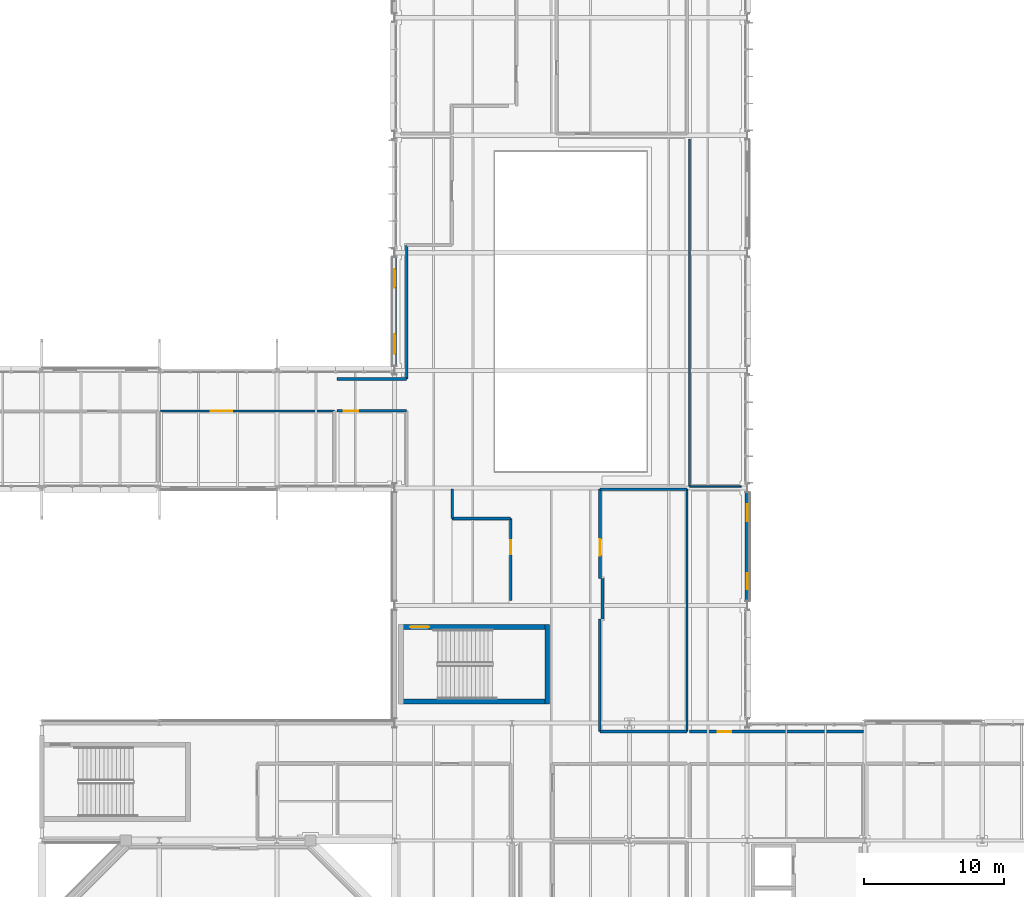
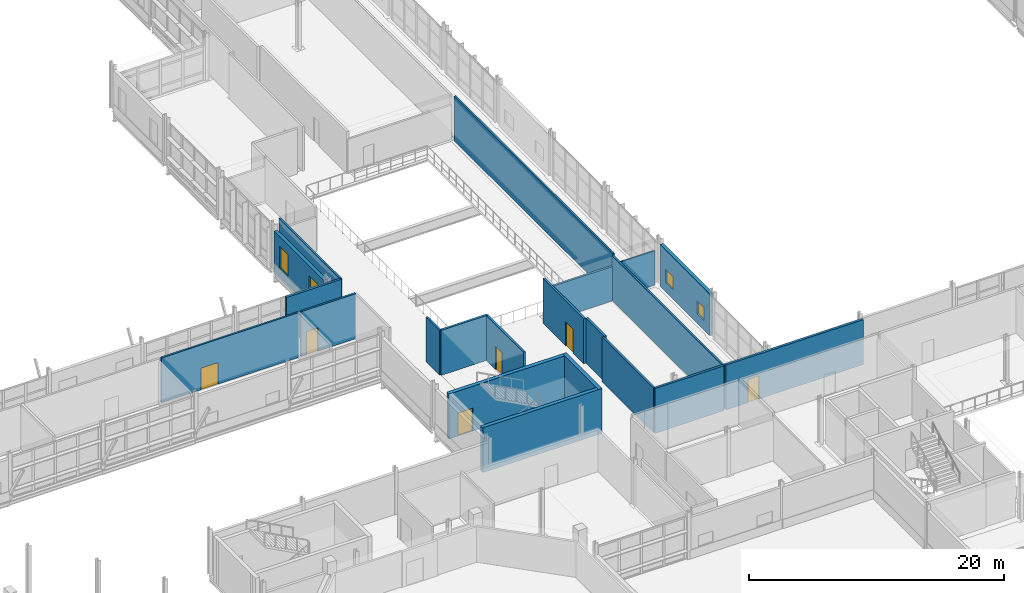
# One storey, part 96 of 129: 21 walls, 6 doors, 4 windows, 10 openings.
"""IFC4 building model written with IfcOpenShell, lengths in metres."""

from ifc_helpers import new_model, si_unit, direction, frame, frame_2d, origin, place, context, subcontext, project, spatial, rectangle, extrude, material, layer, layer_set, type_object, element, fill, save


model = new_model("IFC4")

# Units and contexts
model_context = context("Model", 3, precision=1e-05, world=origin(), true_north=direction((0.0, 1.0)))
body_context = subcontext(model_context, "Body", "Model", "MODEL_VIEW")
ifc_project = project(units=[si_unit("LENGTHUNIT", "METRE"), si_unit("AREAUNIT", "SQUARE_METRE"), si_unit("VOLUMEUNIT", "CUBIC_METRE"), si_unit("PLANEANGLEUNIT", "RADIAN"), si_unit("MASSUNIT", "GRAM", prefix="KILO")], contexts=[model_context])

# Site, building, storey
site_placement = place(None, origin())
site = spatial("IfcSite", under=ifc_project, at=site_placement, CompositionType="ELEMENT")
building_placement = place(site_placement, origin())
building = spatial("IfcBuilding", under=site, at=building_placement, Name="Mersafa Astral City Hall", CompositionType="ELEMENT")
storey_placement = place(building_placement, frame((0.0, 0.0, 5.39990234375)))
storey = spatial("IfcBuildingStorey", under=building, at=storey_placement, Name="L01", CompositionType="ELEMENT", Elevation=5.39990234375)

# Wall, openings, windows
ifc_material_1 = material(Name="Precast concrete C40/50 insulated limestone wall", Category="masonry")
ifc_layer_1 = layer(ifc_material_1, 0.294921875, Name="Precast concrete C40/50 insulated limestone wall")
ifc_layer_set_1 = layer_set([ifc_layer_1], Name="Precast concrete C40/50 insulated limestone wall — ENV-WAL-EXT-295")
wall_type_1 = type_object("IfcWallType", Name="ENV-WAL-EXT-295", PredefinedType="STANDARD", material=ifc_layer_set_1)
wall_1_placement = place(storey_placement, frame((92.39990234375, 66.87890625, 0.0), z_axis=(0.0, 0.0, 1.0), x_axis=(0.0, -1.0, 0.0)))
wall_1 = element("IfcWall", 1, at=wall_1_placement, inside=storey, type_object=wall_type_1, Name="L01 Limestone-clad exterior wall 139", PredefinedType="STANDARD", context=body_context, shape_type="SweptSolid", body=[
    extrude(rectangle(XDim=7.7578125, YDim=0.294921875, at=frame_2d((3.87890625, 0.0))), origin(), (0.0, 0.0, 1.0), 3.922119140625),
])
opening_1_placement = place(wall_1_placement, frame((0.85009765625, 0.0, 0.89990234375)))
opening_1 = element("IfcOpeningElement", 2, at=opening_1_placement, cuts=wall_1, Name="Opening W-54", PredefinedType="OPENING", context=body_context, shape_type="SweptSolid", body=[
    extrude(rectangle(XDim=1.320068359375, YDim=2.050048828125, at=frame_2d((0.66015625, 1.02490234375))), frame((0.0, 0.157470703125, 0.0), z_axis=(0.0, -1.0, 0.0), x_axis=(1.0, 0.0, 0.0)), (0.0, 0.0, 1.0), 0.31494140625),
])
opening_2_placement = place(wall_1_placement, frame((5.488037109375, 0.0, 0.89990234375)))
opening_2 = element("IfcOpeningElement", 3, at=opening_2_placement, cuts=wall_1, Name="Opening W-55", PredefinedType="OPENING", context=body_context, shape_type="SweptSolid", body=[
    extrude(rectangle(XDim=1.419921875, YDim=2.050048828125, at=frame_2d((0.7099609375, 1.02490234375))), frame((0.0, 0.157470703125, 0.0), z_axis=(0.0, -1.0, 0.0), x_axis=(1.0, 0.0, 0.0)), (0.0, 0.0, 1.0), 0.31494140625),
])
ifc_material_2 = material(Name="Solar control low-e double glazing in bronze frame", Category="glass")
window_type_1 = type_object("IfcWindowType", Name="ENV-WIN-W-54", PartitioningType="SINGLE_PANEL", PredefinedType="WINDOW", material=ifc_material_2)
window_1_placement = place(opening_1_placement, origin())
window_1 = element("IfcWindow", 4, at=window_1_placement, inside=storey, type_object=window_type_1, Name="L01 Solar punched window 139-L", OverallHeight=2.050048828125, OverallWidth=1.320068359375, PartitioningType="SINGLE_PANEL", PredefinedType="WINDOW", context=body_context, shape_type="SweptSolid", body=[
    extrude(rectangle(XDim=1.320068359375, YDim=2.050048828125, at=frame_2d((0.66015625, 1.02490234375))), frame((0.0, 0.030029296875, 0.0), z_axis=(0.0, -1.0, 0.0), x_axis=(1.0, 0.0, 0.0)), (0.0, 0.0, 1.0), 0.06005859375),
])
fill(opening_1, window_1)
window_type_2 = type_object("IfcWindowType", Name="ENV-WIN-W-55", PartitioningType="SINGLE_PANEL", PredefinedType="WINDOW", material=ifc_material_2)
window_2_placement = place(opening_2_placement, origin())
window_2 = element("IfcWindow", 5, at=window_2_placement, inside=storey, type_object=window_type_2, Name="L01 Solar punched window 139-R", OverallHeight=2.050048828125, OverallWidth=1.419921875, PartitioningType="SINGLE_PANEL", PredefinedType="WINDOW", context=body_context, shape_type="SweptSolid", body=[
    extrude(rectangle(XDim=1.419921875, YDim=2.050048828125, at=frame_2d((0.7099609375, 1.02490234375))), frame((0.0, 0.030029296875, 0.0), z_axis=(0.0, -1.0, 0.0), x_axis=(1.0, 0.0, 0.0)), (0.0, 0.0, 1.0), 0.06005859375),
])
fill(opening_2, window_2)

ifc_layer_2 = layer(ifc_material_1, 0.31005859375, Name="Precast concrete C40/50 insulated limestone wall")
ifc_layer_set_2 = layer_set([ifc_layer_2], Name="Precast concrete C40/50 insulated limestone wall — ENV-WAL-EXT-310")
wall_type_2 = type_object("IfcWallType", Name="ENV-WAL-EXT-310", PredefinedType="STANDARD", material=ifc_layer_set_2)
wall_2_placement = place(storey_placement, frame((117.60009765625, 42.321044921875, 0.0), z_axis=(0.0, 0.0, 1.0), x_axis=(0.0, 1.0, 0.0)))
wall_2 = element("IfcWall", 6, at=wall_2_placement, inside=storey, type_object=wall_type_2, Name="L01 Limestone-clad exterior wall 90", PredefinedType="STANDARD", context=body_context, shape_type="SweptSolid", body=[
    extrude(rectangle(XDim=7.758056640625, YDim=0.31005859375, at=frame_2d((3.87890625, 0.0))), origin(), (0.0, 0.0, 1.0), 4.01220703125),
])
opening_3_placement = place(wall_2_placement, frame((0.85009765625, 0.0, 0.89990234375)))
opening_3 = element("IfcOpeningElement", 7, at=opening_3_placement, cuts=wall_2, Name="Opening W-12", PredefinedType="OPENING", context=body_context, shape_type="SweptSolid", body=[
    extrude(rectangle(XDim=1.1201171875, YDim=1.25, at=frame_2d((0.56005859375, 0.625))), frame((0.0, 0.1650390625, 0.0), z_axis=(0.0, -1.0, 0.0), x_axis=(1.0, 0.0, 0.0)), (0.0, 0.0, 1.0), 0.330078125),
])
opening_4_placement = place(wall_2_placement, frame((5.68798828125, 0.0, 0.89990234375)))
opening_4 = element("IfcOpeningElement", 8, at=opening_4_placement, cuts=wall_2, Name="Opening W-13", PredefinedType="OPENING", context=body_context, shape_type="SweptSolid", body=[
    extrude(rectangle(XDim=1.219970703125, YDim=1.25, at=frame_2d((0.60986328125, 0.625))), frame((0.0, 0.1650390625, 0.0), z_axis=(0.0, -1.0, 0.0), x_axis=(1.0, 0.0, 0.0)), (0.0, 0.0, 1.0), 0.330078125),
])
window_type_3 = type_object("IfcWindowType", Name="ENV-WIN-W-12", PartitioningType="SINGLE_PANEL", PredefinedType="WINDOW", material=ifc_material_2)
window_3_placement = place(opening_3_placement, origin())
window_3 = element("IfcWindow", 9, at=window_3_placement, inside=storey, type_object=window_type_3, Name="L01 Solar punched window 90-L", OverallHeight=1.25, OverallWidth=1.1201171875, PartitioningType="SINGLE_PANEL", PredefinedType="WINDOW", context=body_context, shape_type="SweptSolid", body=[
    extrude(rectangle(XDim=1.1201171875, YDim=1.25, at=frame_2d((0.56005859375, 0.625))), frame((0.0, 0.030029296875, 0.0), z_axis=(0.0, -1.0, 0.0), x_axis=(1.0, 0.0, 0.0)), (0.0, 0.0, 1.0), 0.06005859375),
])
fill(opening_3, window_3)
window_type_4 = type_object("IfcWindowType", Name="ENV-WIN-W-13", PartitioningType="SINGLE_PANEL", PredefinedType="WINDOW", material=ifc_material_2)
window_4_placement = place(opening_4_placement, origin())
window_4 = element("IfcWindow", 10, at=window_4_placement, inside=storey, type_object=window_type_4, Name="L01 Solar punched window 90-R", OverallHeight=1.25, OverallWidth=1.219970703125, PartitioningType="SINGLE_PANEL", PredefinedType="WINDOW", context=body_context, shape_type="SweptSolid", body=[
    extrude(rectangle(XDim=1.219970703125, YDim=1.25, at=frame_2d((0.60986328125, 0.625))), frame((0.0, 0.030029296875, 0.0), z_axis=(0.0, -1.0, 0.0), x_axis=(1.0, 0.0, 0.0)), (0.0, 0.0, 1.0), 0.06005859375),
])
fill(opening_4, window_4)

# Walls
ifc_material_3 = material(Name="Concrete C40/50", Category="concrete")
ifc_layer_3 = layer(ifc_material_3, 0.340087890625, Name="Concrete C40/50")
ifc_layer_set_3 = layer_set([ifc_layer_3], Name="Concrete C40/50 — INT-WAL-CORE-340")
wall_type_3 = type_object("IfcWallType", Name="INT-WAL-CORE-340", PredefinedType="SHEAR", material=ifc_layer_set_3)
wall_3_placement = place(storey_placement, frame((92.705078125, 35.14501953125, 0.0), z_axis=(0.0, 0.0, 1.0), x_axis=(1.0, 0.0, 0.0)))
element("IfcWall", 11, at=wall_3_placement, inside=storey, type_object=wall_type_3, Name="L01 Assembly stair K8 south wall", PredefinedType="SHEAR", context=body_context, shape_type="SweptSolid", body=[
    extrude(rectangle(XDim=10.7900390625, YDim=0.340087890625, at=frame_2d((5.39501953125, 0.0))), origin(), (0.0, 0.0, 1.0), 4.2900390625),
])
wall_4_placement = place(storey_placement, frame((103.324951171875, 34.97509765625, 0.0), z_axis=(0.0, 0.0, 1.0), x_axis=(0.0, 1.0, 0.0)))
element("IfcWall", 12, at=wall_4_placement, inside=storey, type_object=wall_type_3, Name="L01 Assembly stair K8 east wall", PredefinedType="SHEAR", context=body_context, shape_type="SweptSolid", body=[
    extrude(rectangle(XDim=5.64990234375, YDim=0.340087890625, at=frame_2d((2.824951171875, 0.0))), origin(), (0.0, 0.0, 1.0), 4.2900390625),
])

# Wall, opening, door
wall_5_placement = place(storey_placement, frame((92.705078125, 40.455078125, 0.0), z_axis=(0.0, 0.0, 1.0), x_axis=(1.0, 0.0, 0.0)))
wall_5 = element("IfcWall", 13, at=wall_5_placement, inside=storey, type_object=wall_type_3, Name="L01 Assembly stair K8 north wall", PredefinedType="SHEAR", context=body_context, shape_type="SweptSolid", body=[
    extrude(rectangle(XDim=10.7900390625, YDim=0.340087890625, at=frame_2d((5.39501953125, 0.0))), origin(), (0.0, 0.0, 1.0), 4.2900390625),
])
opening_5_placement = place(wall_5_placement, frame((0.820068359375, 0.0, 0.0)))
opening_5 = element("IfcOpeningElement", 14, at=opening_5_placement, cuts=wall_5, Name="Opening CD-2", PredefinedType="OPENING", context=body_context, shape_type="SweptSolid", body=[
    extrude(rectangle(XDim=1.35009765625, YDim=2.199951171875, at=frame_2d((0.675048828125, 1.10009765625))), frame((0.0, 0.179931640625, 0.0), z_axis=(0.0, -1.0, 0.0), x_axis=(1.0, 0.0, 0.0)), (0.0, 0.0, 1.0), 0.360107421875),
])
ifc_material_4 = material(Name="Fire-rated steel assembly stair door", Category="steel")
door_type_1 = type_object("IfcDoorType", Name="INT-DR-STAIR-FD90-1350", OperationType="NOTDEFINED", PredefinedType="DOOR", material=ifc_material_4)
door_1_placement = place(opening_5_placement, origin())
door_1 = element("IfcDoor", 15, at=door_1_placement, inside=storey, type_object=door_type_1, Name="L01 Assembly Stair ST8 Fire Door", OperationType="SINGLE_SWING_LEFT", OverallHeight=2.199951171875, OverallWidth=1.35009765625, PredefinedType="DOOR", context=body_context, shape_type="SweptSolid", body=[
    extrude(rectangle(XDim=1.35009765625, YDim=2.199951171875, at=frame_2d((0.675048828125, 1.10009765625))), frame((0.0, 0.02490234375, 0.0), z_axis=(0.0, -1.0, 0.0), x_axis=(1.0, 0.0, 0.0)), (0.0, 0.0, 1.0), 0.050048828125),
])
fill(opening_5, door_1)

# Walls
ifc_material_5 = material(Name="Acoustic steel-stud gypsum partition", Category="steel")
ifc_layer_4 = layer(ifc_material_5, 0.1201171875, Name="Acoustic steel-stud gypsum partition")
ifc_layer_set_4 = layer_set([ifc_layer_4], Name="Acoustic steel-stud gypsum partition — INT-WAL-PART-EI30-120")
wall_type_4 = type_object("IfcWallType", Name="INT-WAL-PART-EI30-120", PredefinedType="STANDARD", material=ifc_layer_set_4)
wall_6_placement = place(storey_placement, frame((117.179931640625, 50.489990234375, -0.00390625), z_axis=(0.0, 0.0, 1.0), x_axis=(-1.0, 0.0, 0.0)))
element("IfcWall", 16, at=wall_6_placement, inside=storey, type_object=wall_type_4, Name="L01 Interior partition wall 320", PredefinedType="STANDARD", context=body_context, shape_type="SweptSolid", body=[
    extrude(rectangle(XDim=3.68994140625, YDim=0.1201171875, at=frame_2d((1.844970703125, 0.0))), origin(), (0.0, 0.0, 1.0), 3.285888671875),
])
ifc_layer_5 = layer(ifc_material_5, 0.14990234375, Name="Acoustic steel-stud gypsum partition")
ifc_layer_set_5 = layer_set([ifc_layer_5], Name="Acoustic steel-stud gypsum partition — INT-WAL-PART-EI30-150")
wall_type_5 = type_object("IfcWallType", Name="INT-WAL-PART-EI30-150", PredefinedType="STANDARD", material=ifc_layer_set_5)
wall_7_placement = place(storey_placement, frame((113.489990234375, 50.489990234375, -0.00390625), z_axis=(0.0, 0.0, 1.0), x_axis=(0.0, 1.0, 0.0)))
element("IfcWall", 17, at=wall_7_placement, inside=storey, type_object=wall_type_5, Name="L01 Interior partition wall 321", PredefinedType="STANDARD", context=body_context, shape_type="SweptSolid", body=[
    extrude(rectangle(XDim=24.85009765625, YDim=0.14990234375, at=frame_2d((12.425048828125, 0.0))), origin(), (0.0, 0.0, 1.0), 4.2939453125),
])
ifc_material_6 = material(Name="Fire-rated gypsum stud partition", Category="gypsum")
ifc_layer_6 = layer(ifc_material_6, 0.1650390625, Name="Fire-rated gypsum stud partition")
ifc_layer_set_6 = layer_set([ifc_layer_6], Name="Fire-rated gypsum stud partition — INT-WAL-PART-EI60-165")
wall_type_6 = type_object("IfcWallType", Name="INT-WAL-PART-EI60-165", PredefinedType="STANDARD", material=ifc_layer_set_6)
wall_8_placement = place(storey_placement, frame((107.080078125, 32.97998046875, -0.00390625), z_axis=(0.0, 0.0, 1.0), x_axis=(0.0, 1.0, 0.0)))
element("IfcWall", 18, at=wall_8_placement, inside=storey, type_object=wall_type_6, Name="L01 Interior partition wall 307", PredefinedType="STANDARD", context=body_context, shape_type="SweptSolid", body=[
    extrude(rectangle(XDim=8.070068359375, YDim=0.1650390625, at=frame_2d((4.03515625, 0.0))), origin(), (0.0, 0.0, 1.0), 4.2939453125),
])
wall_9_placement = place(storey_placement, frame((113.31005859375, 50.31005859375, -0.00390625), z_axis=(0.0, 0.0, 1.0), x_axis=(0.0, -1.0, 0.0)))
element("IfcWall", 19, at=wall_9_placement, inside=storey, type_object=wall_type_6, Name="L01 Interior partition wall 311", PredefinedType="STANDARD", context=body_context, shape_type="SweptSolid", body=[
    extrude(rectangle(XDim=17.330078125, YDim=0.1650390625, at=frame_2d((8.6650390625, 0.0))), origin(), (0.0, 0.0, 1.0), 4.2939453125),
])

# Wall, opening, door
wall_10_placement = place(storey_placement, frame((75.68994140625, 55.89990234375, -0.00390625), z_axis=(0.0, 0.0, 1.0), x_axis=(1.0, 0.0, 0.0)))
wall_10 = element("IfcWall", 20, at=wall_10_placement, inside=storey, type_object=wall_type_6, Name="L01 Interior partition wall 347", PredefinedType="STANDARD", context=body_context, shape_type="SweptSolid", body=[
    extrude(rectangle(XDim=12.420166015625, YDim=0.1650390625, at=frame_2d((6.2099609375, 0.0))), origin(), (0.0, 0.0, 1.0), 4.2939453125),
])
opening_6_placement = place(wall_10_placement, frame((3.576904296875, 0.0, 0.0)))
opening_6 = element("IfcOpeningElement", 21, at=opening_6_placement, cuts=wall_10, Name="Opening D-08", PredefinedType="OPENING", context=body_context, shape_type="SweptSolid", body=[
    extrude(rectangle(XDim=1.5400390625, YDim=2.06005859375, at=frame_2d((0.77001953125, 1.030029296875))), frame((0.0, 0.092529296875, 0.0), z_axis=(0.0, -1.0, 0.0), x_axis=(1.0, 0.0, 0.0)), (0.0, 0.0, 1.0), 0.18505859375),
])
ifc_material_7 = material(Name="Cedar veneered acoustic fire-rated timber door", Category="wood")
door_type_2 = type_object("IfcDoorType", Name="INT-DR-RM-D-08", OperationType="NOTDEFINED", PredefinedType="DOOR", material=ifc_material_7)
door_2_placement = place(opening_6_placement, origin())
door_2 = element("IfcDoor", 22, at=door_2_placement, inside=storey, type_object=door_type_2, Name="L01 Public Restroom L01-19 Entrance Door", OperationType="SINGLE_SWING_RIGHT", OverallHeight=2.06005859375, OverallWidth=1.5400390625, PredefinedType="DOOR", context=body_context, shape_type="SweptSolid", body=[
    extrude(rectangle(XDim=1.5400390625, YDim=2.06005859375, at=frame_2d((0.77001953125, 1.030029296875))), frame((0.0, 0.02490234375, 0.0), z_axis=(0.0, -1.0, 0.0), x_axis=(1.0, 0.0, 0.0)), (0.0, 0.0, 1.0), 0.050048828125),
])
fill(opening_6, door_2)

# Walls
wall_11_placement = place(storey_placement, frame((93.27001953125, 67.739990234375, -0.00390625), z_axis=(0.0, 0.0, 1.0), x_axis=(0.0, -1.0, 0.0)))
element("IfcWall", 23, at=wall_11_placement, inside=storey, type_object=wall_type_6, Name="L01 Interior partition wall 375", PredefinedType="STANDARD", context=body_context, shape_type="SweptSolid", body=[
    extrude(rectangle(XDim=9.56005859375, YDim=0.1650390625, at=frame_2d((4.780029296875, 0.0))), origin(), (0.0, 0.0, 1.0), 4.2939453125),
])
wall_12_placement = place(storey_placement, frame((96.52001953125, 50.31005859375, -0.00390625), z_axis=(0.0, 0.0, 1.0), x_axis=(0.0, -1.0, 0.0)))
element("IfcWall", 24, at=wall_12_placement, inside=storey, type_object=wall_type_6, Name="L01 Interior partition wall 387", PredefinedType="STANDARD", context=body_context, shape_type="SweptSolid", body=[
    extrude(rectangle(XDim=2.090087890625, YDim=0.1650390625, at=frame_2d((1.044921875, 0.0))), origin(), (0.0, 0.0, 1.0), 4.2939453125),
])
ifc_material_8 = material(Name="Acoustic twin-stud gypsum partition", Category="gypsum")
ifc_layer_7 = layer(ifc_material_8, 0.179931640625, Name="Acoustic twin-stud gypsum partition")
ifc_layer_set_7 = layer_set([ifc_layer_7], Name="Acoustic twin-stud gypsum partition — INT-WAL-PART-EI60-180")
wall_type_7 = type_object("IfcWallType", Name="INT-WAL-PART-EI60-180", PredefinedType="STANDARD", material=ifc_layer_set_7)
wall_13_placement = place(storey_placement, frame((107.080078125, 50.31005859375, -0.00390625), z_axis=(0.0, 0.0, 1.0), x_axis=(1.0, 0.0, 0.0)))
element("IfcWall", 25, at=wall_13_placement, inside=storey, type_object=wall_type_7, Name="L01 Interior partition wall 310", PredefinedType="STANDARD", context=body_context, shape_type="SweptSolid", body=[
    extrude(rectangle(XDim=6.22998046875, YDim=0.179931640625, at=frame_2d((3.114990234375, 0.0))), origin(), (0.0, 0.0, 1.0), 3.285888671875),
])

# Wall, opening, door
wall_14_placement = place(storey_placement, frame((88.2900390625, 55.89990234375, -0.00390625), z_axis=(0.0, 0.0, 1.0), x_axis=(1.0, 0.0, 0.0)))
wall_14 = element("IfcWall", 26, at=wall_14_placement, inside=storey, type_object=wall_type_7, Name="L01 Interior partition wall 390", PredefinedType="STANDARD", context=body_context, shape_type="SweptSolid", body=[
    extrude(rectangle(XDim=4.97998046875, YDim=0.179931640625, at=frame_2d((2.489990234375, 0.0))), origin(), (0.0, 0.0, 1.0), 4.2939453125),
])
opening_7_placement = place(wall_14_placement, frame((0.47607421875, 0.0, 0.0)))
opening_7 = element("IfcOpeningElement", 27, at=opening_7_placement, cuts=wall_14, Name="Opening D-21", PredefinedType="OPENING", context=body_context, shape_type="SweptSolid", body=[
    extrude(rectangle(XDim=1.0400390625, YDim=2.219970703125, at=frame_2d((0.52001953125, 1.10986328125))), frame((0.0, 0.099853515625, 0.0), z_axis=(0.0, -1.0, 0.0), x_axis=(1.0, 0.0, 0.0)), (0.0, 0.0, 1.0), 0.199951171875),
])
door_type_3 = type_object("IfcDoorType", Name="INT-DR-RM-D-21", OperationType="NOTDEFINED", PredefinedType="DOOR", material=ifc_material_7)
door_3_placement = place(opening_7_placement, origin())
door_3 = element("IfcDoor", 28, at=door_3_placement, inside=storey, type_object=door_type_3, Name="L01 Civic Ombudsman Consultation Suite L01-32 Entrance Door", OperationType="SINGLE_SWING_LEFT", OverallHeight=2.219970703125, OverallWidth=1.0400390625, PredefinedType="DOOR", context=body_context, shape_type="SweptSolid", body=[
    extrude(rectangle(XDim=1.0400390625, YDim=2.219970703125, at=frame_2d((0.52001953125, 1.10986328125))), frame((0.0, 0.02490234375, 0.0), z_axis=(0.0, -1.0, 0.0), x_axis=(1.0, 0.0, 0.0)), (0.0, 0.0, 1.0), 0.050048828125),
])
fill(opening_7, door_3)

ifc_layer_8 = layer(ifc_material_8, 0.195068359375, Name="Acoustic twin-stud gypsum partition")
ifc_layer_set_8 = layer_set([ifc_layer_8], Name="Acoustic twin-stud gypsum partition — INT-WAL-PART-EI60-195")
wall_type_8 = type_object("IfcWallType", Name="INT-WAL-PART-EI60-195", PredefinedType="STANDARD", material=ifc_layer_set_8)
wall_15_placement = place(storey_placement, frame((107.080078125, 43.909912109375, -0.00390625), z_axis=(0.0, 0.0, 1.0), x_axis=(0.0, 1.0, 0.0)))
wall_15 = element("IfcWall", 29, at=wall_15_placement, inside=storey, type_object=wall_type_8, Name="L01 Interior partition wall 309", PredefinedType="STANDARD", context=body_context, shape_type="SweptSolid", body=[
    extrude(rectangle(XDim=6.400146484375, YDim=0.195068359375, at=frame_2d((3.2001953125, 0.0))), origin(), (0.0, 0.0, 1.0), 4.2939453125),
])
opening_8_placement = place(wall_15_placement, frame((1.64990234375, 0.0, 0.0)))
opening_8 = element("IfcOpeningElement", 30, at=opening_8_placement, cuts=wall_15, Name="Opening D-32", PredefinedType="OPENING", context=body_context, shape_type="SweptSolid", body=[
    extrude(rectangle(XDim=1.179931640625, YDim=2.300048828125, at=frame_2d((0.58984375, 1.14990234375))), frame((0.0, 0.107421875, 0.0), z_axis=(0.0, -1.0, 0.0), x_axis=(1.0, 0.0, 0.0)), (0.0, 0.0, 1.0), 0.215087890625),
])
door_type_4 = type_object("IfcDoorType", Name="INT-DR-RM-D-32", OperationType="NOTDEFINED", PredefinedType="DOOR", material=ifc_material_7)
door_4_placement = place(opening_8_placement, origin())
door_4 = element("IfcDoor", 31, at=door_4_placement, inside=storey, type_object=door_type_4, Name="L01 Civic Translation & Hansard Studio L01-07 Entrance Door", OperationType="SINGLE_SWING_RIGHT", OverallHeight=2.300048828125, OverallWidth=1.179931640625, PredefinedType="DOOR", context=body_context, shape_type="SweptSolid", body=[
    extrude(rectangle(XDim=1.179931640625, YDim=2.300048828125, at=frame_2d((0.58984375, 1.14990234375))), frame((0.0, 0.02490234375, 0.0), z_axis=(0.0, -1.0, 0.0), x_axis=(1.0, 0.0, 0.0)), (0.0, 0.0, 1.0), 0.050048828125),
])
fill(opening_8, door_4)

wall_16_placement = place(storey_placement, frame((100.7099609375, 48.219970703125, -0.00390625), z_axis=(0.0, 0.0, 1.0), x_axis=(0.0, -1.0, 0.0)))
wall_16 = element("IfcWall", 32, at=wall_16_placement, inside=storey, type_object=wall_type_8, Name="L01 Interior partition wall 389", PredefinedType="STANDARD", context=body_context, shape_type="SweptSolid", body=[
    extrude(rectangle(XDim=5.8798828125, YDim=0.195068359375, at=frame_2d((2.93994140625, 0.0))), origin(), (0.0, 0.0, 1.0), 4.2939453125),
])
opening_9_placement = place(wall_16_placement, frame((1.568115234375, 0.0, 0.0)))
opening_9 = element("IfcOpeningElement", 33, at=opening_9_placement, cuts=wall_16, Name="Opening D-20", PredefinedType="OPENING", context=body_context, shape_type="SweptSolid", body=[
    extrude(rectangle(XDim=0.97998046875, YDim=2.219970703125, at=frame_2d((0.489990234375, 1.10986328125))), frame((0.0, 0.107421875, 0.0), z_axis=(0.0, -1.0, 0.0), x_axis=(1.0, 0.0, 0.0)), (0.0, 0.0, 1.0), 0.215087890625),
])
door_type_5 = type_object("IfcDoorType", Name="INT-DR-RM-D-20", OperationType="NOTDEFINED", PredefinedType="DOOR", material=ifc_material_7)
door_5_placement = place(opening_9_placement, origin())
door_5 = element("IfcDoor", 34, at=door_5_placement, inside=storey, type_object=door_type_5, Name="L01 Members Reading Room L01-31 Entrance Door", OperationType="SINGLE_SWING_RIGHT", OverallHeight=2.219970703125, OverallWidth=0.97998046875, PredefinedType="DOOR", context=body_context, shape_type="SweptSolid", body=[
    extrude(rectangle(XDim=0.97998046875, YDim=2.219970703125, at=frame_2d((0.489990234375, 1.10986328125))), frame((0.0, 0.02490234375, 0.0), z_axis=(0.0, -1.0, 0.0), x_axis=(1.0, 0.0, 0.0)), (0.0, 0.0, 1.0), 0.050048828125),
])
fill(opening_9, door_5)

# Walls
ifc_material_9 = material(Name="Autoclaved aerated concrete blockwork plastered", Category="masonry")
ifc_layer_9 = layer(ifc_material_9, 0.2099609375, Name="Autoclaved aerated concrete blockwork plastered")
ifc_layer_set_9 = layer_set([ifc_layer_9], Name="Autoclaved aerated concrete blockwork plastered — INT-WAL-PART-EI60-210")
wall_type_9 = type_object("IfcWallType", Name="INT-WAL-PART-EI60-210", PredefinedType="STANDARD", material=ifc_layer_set_9)
wall_17_placement = place(storey_placement, frame((107.280029296875, 41.050048828125, -0.00390625), z_axis=(0.0, 0.0, 1.0), x_axis=(0.0, 1.0, 0.0)))
element("IfcWall", 35, at=wall_17_placement, inside=storey, type_object=wall_type_9, Name="L01 Interior partition wall 308", PredefinedType="STANDARD", context=body_context, shape_type="SweptSolid", body=[
    extrude(rectangle(XDim=2.85986328125, YDim=0.2099609375, at=frame_2d((1.429931640625, 0.0))), origin(), (0.0, 0.0, 1.0), 4.2939453125),
])
wall_18_placement = place(storey_placement, frame((113.31005859375, 32.97998046875, -0.00390625), z_axis=(0.0, 0.0, 1.0), x_axis=(-1.0, 0.0, 0.0)))
element("IfcWall", 36, at=wall_18_placement, inside=storey, type_object=wall_type_9, Name="L01 Interior partition wall 312", PredefinedType="STANDARD", context=body_context, shape_type="SweptSolid", body=[
    extrude(rectangle(XDim=6.22998046875, YDim=0.2099609375, at=frame_2d((3.114990234375, 0.0))), origin(), (0.0, 0.0, 1.0), 4.2939453125),
])

# Wall, opening, door
wall_19_placement = place(storey_placement, frame((125.909912109375, 32.97998046875, -0.00390625), z_axis=(0.0, 0.0, 1.0), x_axis=(-1.0, 0.0, 0.0)))
wall_19 = element("IfcWall", 37, at=wall_19_placement, inside=storey, type_object=wall_type_9, Name="L01 Interior partition wall 332", PredefinedType="STANDARD", context=body_context, shape_type="SweptSolid", body=[
    extrude(rectangle(XDim=12.419921875, YDim=0.2099609375, at=frame_2d((6.2099609375, 0.0))), origin(), (0.0, 0.0, 1.0), 4.2939453125),
])
opening_10_placement = place(wall_19_placement, frame((9.446044921875, 0.0, 0.0)))
opening_10 = element("IfcOpeningElement", 38, at=opening_10_placement, cuts=wall_19, Name="Opening D-20", PredefinedType="OPENING", context=body_context, shape_type="SweptSolid", body=[
    extrude(rectangle(XDim=0.97998046875, YDim=2.219970703125, at=frame_2d((0.489990234375, 1.10986328125))), frame((0.0, 0.114990234375, 0.0), z_axis=(0.0, -1.0, 0.0), x_axis=(1.0, 0.0, 0.0)), (0.0, 0.0, 1.0), 0.22998046875),
])
door_6_placement = place(opening_10_placement, origin())
door_6 = element("IfcDoor", 39, at=door_6_placement, inside=storey, type_object=door_type_5, Name="L01 Members Reading Room L01-13 Entrance Door", OperationType="SINGLE_SWING_RIGHT", OverallHeight=2.219970703125, OverallWidth=0.97998046875, PredefinedType="DOOR", context=body_context, shape_type="SweptSolid", body=[
    extrude(rectangle(XDim=0.97998046875, YDim=2.219970703125, at=frame_2d((0.489990234375, 1.10986328125))), frame((0.0, 0.02490234375, 0.0), z_axis=(0.0, -1.0, 0.0), x_axis=(1.0, 0.0, 0.0)), (0.0, 0.0, 1.0), 0.050048828125),
])
fill(opening_10, door_6)

# Walls
wall_20_placement = place(storey_placement, frame((93.27001953125, 58.179931640625, -0.00390625), z_axis=(0.0, 0.0, 1.0), x_axis=(-1.0, 0.0, 0.0)))
element("IfcWall", 40, at=wall_20_placement, inside=storey, type_object=wall_type_9, Name="L01 Interior partition wall 376", PredefinedType="STANDARD", context=body_context, shape_type="SweptSolid", body=[
    extrude(rectangle(XDim=4.97998046875, YDim=0.2099609375, at=frame_2d((2.489990234375, 0.0))), origin(), (0.0, 0.0, 1.0), 4.2939453125),
])
wall_21_placement = place(storey_placement, frame((96.52001953125, 48.219970703125, -0.00390625), z_axis=(0.0, 0.0, 1.0), x_axis=(1.0, 0.0, 0.0)))
element("IfcWall", 41, at=wall_21_placement, inside=storey, type_object=wall_type_9, Name="L01 Interior partition wall 388", PredefinedType="STANDARD", context=body_context, shape_type="SweptSolid", body=[
    extrude(rectangle(XDim=4.18994140625, YDim=0.2099609375, at=frame_2d((2.094970703125, 0.0))), origin(), (0.0, 0.0, 1.0), 4.2939453125),
])

save(model, "model.ifc")
